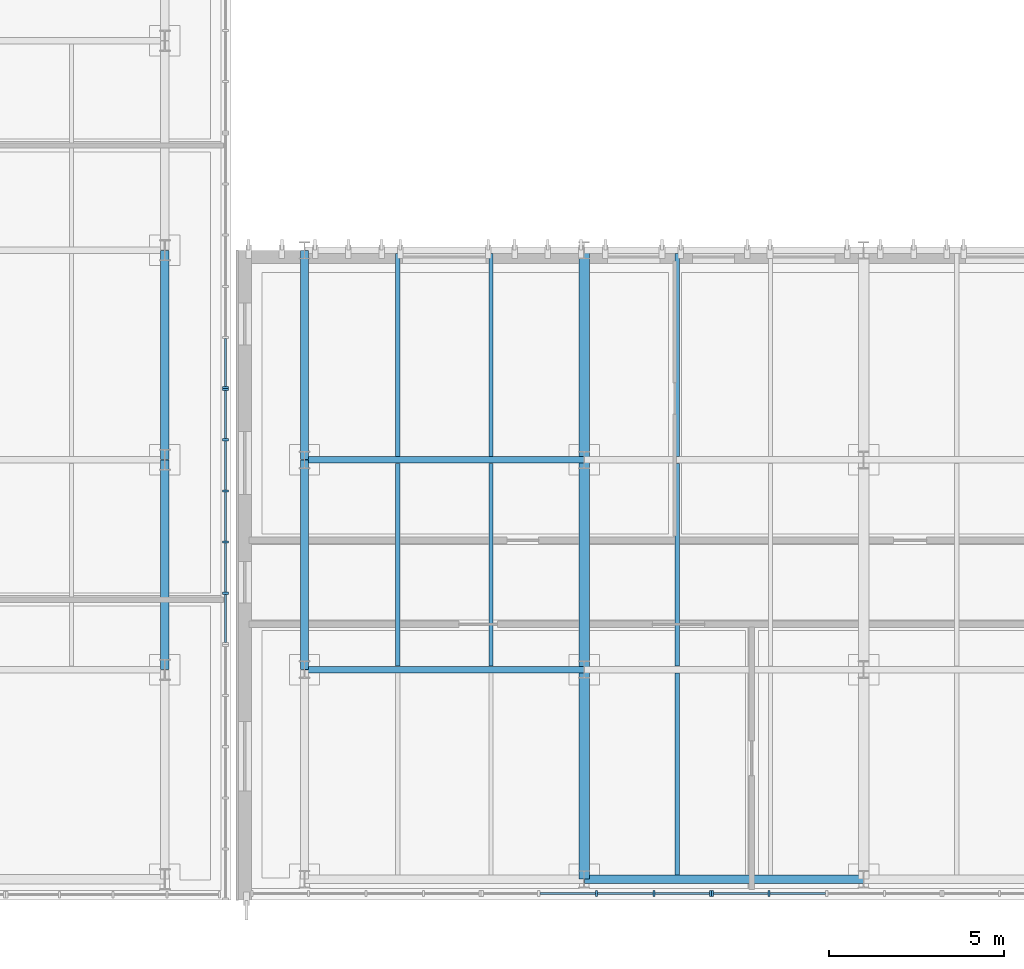
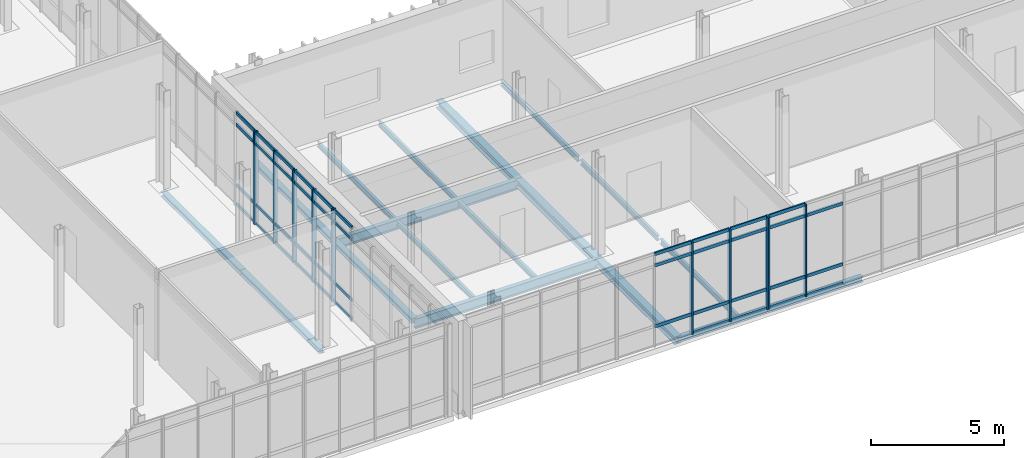
# One storey, part 29 of 100: 53 members, 17 beams, 4 elements without a shape of their own.
"""IFC4 building model written with IfcOpenShell, lengths in metres."""

from ifc_helpers import new_model, si_unit, direction, frame, origin, origin_2d, place, context, subcontext, project, spatial, rectangle, i_section, extrude, material, material_profile, profile_set, type_object, element, aggregate, save


model = new_model("IFC4")

# Units and contexts
model_context = context("Model", 3, precision=1e-05, world=origin(), true_north=direction((0.0, 1.0)))
body_context = subcontext(model_context, "Body", "Model", "MODEL_VIEW")
ifc_project = project(units=[si_unit("LENGTHUNIT", "METRE"), si_unit("AREAUNIT", "SQUARE_METRE"), si_unit("VOLUMEUNIT", "CUBIC_METRE"), si_unit("PLANEANGLEUNIT", "RADIAN"), si_unit("MASSUNIT", "GRAM", prefix="KILO")], contexts=[model_context])

# Site, building, storey
site_placement = place(None, origin())
site = spatial("IfcSite", under=ifc_project, at=site_placement, CompositionType="ELEMENT")
building_placement = place(site_placement, origin())
building = spatial("IfcBuilding", under=site, at=building_placement, Name="Cymarion Research Institute", CompositionType="ELEMENT")
storey_placement = place(building_placement, frame((0.0, 0.0, 4.800048828125)))
storey = spatial("IfcBuildingStorey", under=building, at=storey_placement, Name="L01", CompositionType="ELEMENT", Elevation=4.800048828125)

# Curtain wall, members
ifc_material_1 = material(Name="Anodised aluminium unitised curtain wall with Low-E glazing", Category="aluminium")
curtain_wall_type_1 = type_object("IfcCurtainWallType", Name="UNITISED CURTAIN WALL CW01 6590X4250", PredefinedType="NOTDEFINED", material=ifc_material_1)
curtain_wall_1_placement = place(storey_placement, origin())
curtain_wall_1 = element("IfcCurtainWall", 1, at=curtain_wall_1_placement, inside=storey, type_object=curtain_wall_type_1, Name="L01 V1 unitised curtain wall CW01 #2", PredefinedType="NOTDEFINED")
ifc_material_2 = material(Name="Anodised aluminium framing", Category="aluminium")
ifc_material_profile_1 = material_profile(ifc_material_2, rectangle(XDim=0.06005859375, YDim=0.179931640625, at=origin_2d()), Name="ALU MULLION 60x180")
ifc_profile_set_1 = profile_set([ifc_material_profile_1], Name="Anodised aluminium framing")
member_type_1 = type_object("IfcMemberType", Name="CURTAIN WALL MULLION ML01 60X180", PredefinedType="MULLION", material=ifc_profile_set_1)
member_1_placement = place(storey_placement, frame((114.95166015625, 5.090087890625, 0.0), z_axis=(0.0, 0.0, 1.0), x_axis=(1.0, 0.0, 0.0)))
member_1 = element("IfcMember", 2, at=member_1_placement, type_object=member_type_1, Name="CW01 mullion 3", PredefinedType="MULLION", context=body_context, shape_type="SweptSolid", body=[
    extrude(rectangle(XDim=0.06005859375, YDim=0.179931640625, at=origin_2d()), origin(), (0.0, 0.0, 1.0), 4.25),
])
member_2_placement = place(storey_placement, frame((116.599853515625, 5.090087890625, 0.0), z_axis=(0.0, 0.0, 1.0), x_axis=(1.0, 0.0, 0.0)))
member_2 = element("IfcMember", 3, at=member_2_placement, type_object=member_type_1, Name="CW01 mullion 4", PredefinedType="MULLION", context=body_context, shape_type="SweptSolid", body=[
    extrude(rectangle(XDim=0.06005859375, YDim=0.179931640625, at=origin_2d()), origin(), (0.0, 0.0, 1.0), 4.25),
])
member_3_placement = place(storey_placement, frame((118.21826171875, 5.090087890625, 0.0), z_axis=(0.0, 0.0, 1.0), x_axis=(1.0, 0.0, 0.0)))
member_3 = element("IfcMember", 4, at=member_3_placement, type_object=member_type_1, Name="CW01 mullion 5", PredefinedType="MULLION", context=body_context, shape_type="SweptSolid", body=[
    extrude(rectangle(XDim=0.06005859375, YDim=0.179931640625, at=origin_2d()), origin(), (0.0, 0.0, 1.0), 4.25),
])

curtain_wall_2_placement = place(storey_placement, origin())
curtain_wall_2 = element("IfcCurtainWall", 5, at=curtain_wall_2_placement, inside=storey, type_object=curtain_wall_type_1, Name="L01 V1 unitised curtain wall CW01 #3", PredefinedType="NOTDEFINED")
member_4_placement = place(storey_placement, frame((118.2783203125, 5.090087890625, 0.0), z_axis=(0.0, 0.0, 1.0), x_axis=(1.0, 0.0, 0.0)))
member_4 = element("IfcMember", 6, at=member_4_placement, type_object=member_type_1, Name="CW01 mullion 1", PredefinedType="MULLION", context=body_context, shape_type="SweptSolid", body=[
    extrude(rectangle(XDim=0.06005859375, YDim=0.179931640625, at=origin_2d()), origin(), (0.0, 0.0, 1.0), 4.25),
])
member_5_placement = place(storey_placement, frame((119.896484375, 5.090087890625, 0.0), z_axis=(0.0, 0.0, 1.0), x_axis=(1.0, 0.0, 0.0)))
member_5 = element("IfcMember", 7, at=member_5_placement, type_object=member_type_1, Name="CW01 mullion 2", PredefinedType="MULLION", context=body_context, shape_type="SweptSolid", body=[
    extrude(rectangle(XDim=0.06005859375, YDim=0.179931640625, at=origin_2d()), origin(), (0.0, 0.0, 1.0), 4.25),
])

curtain_wall_type_2 = type_object("IfcCurtainWallType", Name="UNITISED CURTAIN WALL CW08 7320X4250", PredefinedType="NOTDEFINED", material=ifc_material_1)
curtain_wall_3_placement = place(storey_placement, origin())
curtain_wall_3 = element("IfcCurtainWall", 8, at=curtain_wall_3_placement, inside=storey, type_object=curtain_wall_type_2, Name="L01 V2 unitised curtain wall CW08 #20", PredefinedType="NOTDEFINED")
member_6_placement = place(storey_placement, frame((104.340087890625, 13.68408203125, 0.0), z_axis=(0.0, 0.0, 1.0), x_axis=(0.0, 1.0, 0.0)))
member_6 = element("IfcMember", 9, at=member_6_placement, type_object=member_type_1, Name="CW08 mullion 2", PredefinedType="MULLION", context=body_context, shape_type="SweptSolid", body=[
    extrude(rectangle(XDim=0.06005859375, YDim=0.179931640625, at=origin_2d()), origin(), (0.0, 0.0, 1.0), 4.25),
])
member_7_placement = place(storey_placement, frame((104.340087890625, 15.14794921875, 0.0), z_axis=(0.0, 0.0, 1.0), x_axis=(0.0, 1.0, 0.0)))
member_7 = element("IfcMember", 10, at=member_7_placement, type_object=member_type_1, Name="CW08 mullion 3", PredefinedType="MULLION", context=body_context, shape_type="SweptSolid", body=[
    extrude(rectangle(XDim=0.06005859375, YDim=0.179931640625, at=origin_2d()), origin(), (0.0, 0.0, 1.0), 4.25),
])
member_8_placement = place(storey_placement, frame((104.340087890625, 16.612060546875, 0.0), z_axis=(0.0, 0.0, 1.0), x_axis=(0.0, 1.0, 0.0)))
member_8 = element("IfcMember", 11, at=member_8_placement, type_object=member_type_1, Name="CW08 mullion 4", PredefinedType="MULLION", context=body_context, shape_type="SweptSolid", body=[
    extrude(rectangle(XDim=0.06005859375, YDim=0.179931640625, at=origin_2d()), origin(), (0.0, 0.0, 1.0), 4.25),
])
member_9_placement = place(storey_placement, frame((104.340087890625, 18.075927734375, 0.0), z_axis=(0.0, 0.0, 1.0), x_axis=(0.0, 1.0, 0.0)))
member_9 = element("IfcMember", 12, at=member_9_placement, type_object=member_type_1, Name="CW08 mullion 5", PredefinedType="MULLION", context=body_context, shape_type="SweptSolid", body=[
    extrude(rectangle(XDim=0.06005859375, YDim=0.179931640625, at=origin_2d()), origin(), (0.0, 0.0, 1.0), 4.25),
])
member_10_placement = place(storey_placement, frame((104.340087890625, 19.510009765625, 0.0), z_axis=(0.0, 0.0, 1.0), x_axis=(0.0, 1.0, 0.0)))
member_10 = element("IfcMember", 13, at=member_10_placement, type_object=member_type_1, Name="CW08 mullion 6", PredefinedType="MULLION", context=body_context, shape_type="SweptSolid", body=[
    extrude(rectangle(XDim=0.06005859375, YDim=0.179931640625, at=origin_2d()), origin(), (0.0, 0.0, 1.0), 4.25),
])

# Curtain wall, member
curtain_wall_4_placement = place(storey_placement, origin())
curtain_wall_4 = element("IfcCurtainWall", 14, at=curtain_wall_4_placement, inside=storey, type_object=curtain_wall_type_2, Name="L01 V2 unitised curtain wall CW08 #21", PredefinedType="NOTDEFINED")
member_11_placement = place(storey_placement, frame((104.340087890625, 19.570068359375, 0.0), z_axis=(0.0, 0.0, 1.0), x_axis=(0.0, 1.0, 0.0)))
member_11 = element("IfcMember", 15, at=member_11_placement, type_object=member_type_1, Name="CW08 mullion 1", PredefinedType="MULLION", context=body_context, shape_type="SweptSolid", body=[
    extrude(rectangle(XDim=0.06005859375, YDim=0.179931640625, at=origin_2d()), origin(), (0.0, 0.0, 1.0), 4.25),
])

# Member
ifc_material_profile_2 = material_profile(ifc_material_2, rectangle(XDim=0.06005859375, YDim=0.14990234375, at=origin_2d()), Name="ALU TRANSOM 60x150")
ifc_profile_set_2 = profile_set([ifc_material_profile_2], Name="Anodised aluminium framing")
member_type_2 = type_object("IfcMemberType", Name="CURTAIN WALL TRANSOM TR01 60X150", PredefinedType="USERDEFINED", material=ifc_profile_set_2)
member_12_placement = place(storey_placement, frame((113.33349609375, 5.090087890625, 0.89990234375), z_axis=(1.0, 0.0, 0.0), x_axis=(0.0, 1.0, 0.0)))
member_12 = element("IfcMember", 16, at=member_12_placement, type_object=member_type_2, Name="CW01 transom 2.2", ObjectType="TRANSOM", PredefinedType="USERDEFINED", context=body_context, shape_type="SweptSolid", body=[
    extrude(rectangle(XDim=0.06005859375, YDim=0.14990234375, at=origin_2d()), origin(), (0.0, 0.0, 1.0), 1.588134765625),
])

member_13_placement = place(storey_placement, frame((113.33349609375, 5.090087890625, 3.699951171875), z_axis=(1.0, 0.0, 0.0), x_axis=(0.0, 1.0, 0.0)))
member_13 = element("IfcMember", 17, at=member_13_placement, type_object=member_type_2, Name="CW01 transom 2.3", ObjectType="TRANSOM", PredefinedType="USERDEFINED", context=body_context, shape_type="SweptSolid", body=[
    extrude(rectangle(XDim=0.06005859375, YDim=0.14990234375, at=origin_2d()), origin(), (0.0, 0.0, 1.0), 1.588134765625),
])

member_14_placement = place(storey_placement, frame((113.33349609375, 5.090087890625, 4.219970703125), z_axis=(1.0, 0.0, 0.0), x_axis=(0.0, 1.0, 0.0)))
member_14 = element("IfcMember", 18, at=member_14_placement, type_object=member_type_2, Name="CW01 transom 2.4", ObjectType="TRANSOM", PredefinedType="USERDEFINED", context=body_context, shape_type="SweptSolid", body=[
    extrude(rectangle(XDim=0.06005859375, YDim=0.14990234375, at=origin_2d()), origin(), (0.0, 0.0, 1.0), 1.588134765625),
])

member_15_placement = place(storey_placement, frame((114.981689453125, 5.090087890625, 0.030029296875), z_axis=(1.0, 0.0, 0.0), x_axis=(0.0, 1.0, 0.0)))
member_15 = element("IfcMember", 19, at=member_15_placement, type_object=member_type_2, Name="CW01 transom 3.1", ObjectType="TRANSOM", PredefinedType="USERDEFINED", context=body_context, shape_type="SweptSolid", body=[
    extrude(rectangle(XDim=0.06005859375, YDim=0.14990234375, at=origin_2d()), origin(), (0.0, 0.0, 1.0), 1.588134765625),
])

member_16_placement = place(storey_placement, frame((114.981689453125, 5.090087890625, 0.89990234375), z_axis=(1.0, 0.0, 0.0), x_axis=(0.0, 1.0, 0.0)))
member_16 = element("IfcMember", 20, at=member_16_placement, type_object=member_type_2, Name="CW01 transom 3.2", ObjectType="TRANSOM", PredefinedType="USERDEFINED", context=body_context, shape_type="SweptSolid", body=[
    extrude(rectangle(XDim=0.06005859375, YDim=0.14990234375, at=origin_2d()), origin(), (0.0, 0.0, 1.0), 1.588134765625),
])

member_17_placement = place(storey_placement, frame((114.981689453125, 5.090087890625, 3.699951171875), z_axis=(1.0, 0.0, 0.0), x_axis=(0.0, 1.0, 0.0)))
member_17 = element("IfcMember", 21, at=member_17_placement, type_object=member_type_2, Name="CW01 transom 3.3", ObjectType="TRANSOM", PredefinedType="USERDEFINED", context=body_context, shape_type="SweptSolid", body=[
    extrude(rectangle(XDim=0.06005859375, YDim=0.14990234375, at=origin_2d()), origin(), (0.0, 0.0, 1.0), 1.588134765625),
])

member_18_placement = place(storey_placement, frame((114.981689453125, 5.090087890625, 4.219970703125), z_axis=(1.0, 0.0, 0.0), x_axis=(0.0, 1.0, 0.0)))
member_18 = element("IfcMember", 22, at=member_18_placement, type_object=member_type_2, Name="CW01 transom 3.4", ObjectType="TRANSOM", PredefinedType="USERDEFINED", context=body_context, shape_type="SweptSolid", body=[
    extrude(rectangle(XDim=0.06005859375, YDim=0.14990234375, at=origin_2d()), origin(), (0.0, 0.0, 1.0), 1.588134765625),
])

member_19_placement = place(storey_placement, frame((116.6298828125, 5.090087890625, 0.030029296875), z_axis=(1.0, 0.0, 0.0), x_axis=(0.0, 1.0, 0.0)))
member_19 = element("IfcMember", 23, at=member_19_placement, type_object=member_type_2, Name="CW01 transom 4.1", ObjectType="TRANSOM", PredefinedType="USERDEFINED", context=body_context, shape_type="SweptSolid", body=[
    extrude(rectangle(XDim=0.06005859375, YDim=0.14990234375, at=origin_2d()), origin(), (0.0, 0.0, 1.0), 1.558349609375),
])

member_20_placement = place(storey_placement, frame((116.6298828125, 5.090087890625, 0.89990234375), z_axis=(1.0, 0.0, 0.0), x_axis=(0.0, 1.0, 0.0)))
member_20 = element("IfcMember", 24, at=member_20_placement, type_object=member_type_2, Name="CW01 transom 4.2", ObjectType="TRANSOM", PredefinedType="USERDEFINED", context=body_context, shape_type="SweptSolid", body=[
    extrude(rectangle(XDim=0.06005859375, YDim=0.14990234375, at=origin_2d()), origin(), (0.0, 0.0, 1.0), 1.558349609375),
])

member_21_placement = place(storey_placement, frame((116.6298828125, 5.090087890625, 3.699951171875), z_axis=(1.0, 0.0, 0.0), x_axis=(0.0, 1.0, 0.0)))
member_21 = element("IfcMember", 25, at=member_21_placement, type_object=member_type_2, Name="CW01 transom 4.3", ObjectType="TRANSOM", PredefinedType="USERDEFINED", context=body_context, shape_type="SweptSolid", body=[
    extrude(rectangle(XDim=0.06005859375, YDim=0.14990234375, at=origin_2d()), origin(), (0.0, 0.0, 1.0), 1.558349609375),
])

member_22_placement = place(storey_placement, frame((116.6298828125, 5.090087890625, 4.219970703125), z_axis=(1.0, 0.0, 0.0), x_axis=(0.0, 1.0, 0.0)))
member_22 = element("IfcMember", 26, at=member_22_placement, type_object=member_type_2, Name="CW01 transom 4.4", ObjectType="TRANSOM", PredefinedType="USERDEFINED", context=body_context, shape_type="SweptSolid", body=[
    extrude(rectangle(XDim=0.06005859375, YDim=0.14990234375, at=origin_2d()), origin(), (0.0, 0.0, 1.0), 1.558349609375),
])

aggregate(curtain_wall_1, [member_1, member_2, member_3, member_12, member_13, member_14, member_15, member_16, member_17, member_18, member_19, member_20, member_21, member_22])

member_23_placement = place(storey_placement, frame((118.30810546875, 5.090087890625, 0.030029296875), z_axis=(1.0, 0.0, 0.0), x_axis=(0.0, 1.0, 0.0)))
member_23 = element("IfcMember", 27, at=member_23_placement, type_object=member_type_2, Name="CW01 transom 1.1", ObjectType="TRANSOM", PredefinedType="USERDEFINED", context=body_context, shape_type="SweptSolid", body=[
    extrude(rectangle(XDim=0.06005859375, YDim=0.14990234375, at=origin_2d()), origin(), (0.0, 0.0, 1.0), 1.558349609375),
])

member_24_placement = place(storey_placement, frame((118.30810546875, 5.090087890625, 0.89990234375), z_axis=(1.0, 0.0, 0.0), x_axis=(0.0, 1.0, 0.0)))
member_24 = element("IfcMember", 28, at=member_24_placement, type_object=member_type_2, Name="CW01 transom 1.2", ObjectType="TRANSOM", PredefinedType="USERDEFINED", context=body_context, shape_type="SweptSolid", body=[
    extrude(rectangle(XDim=0.06005859375, YDim=0.14990234375, at=origin_2d()), origin(), (0.0, 0.0, 1.0), 1.558349609375),
])

member_25_placement = place(storey_placement, frame((118.30810546875, 5.090087890625, 3.699951171875), z_axis=(1.0, 0.0, 0.0), x_axis=(0.0, 1.0, 0.0)))
member_25 = element("IfcMember", 29, at=member_25_placement, type_object=member_type_2, Name="CW01 transom 1.3", ObjectType="TRANSOM", PredefinedType="USERDEFINED", context=body_context, shape_type="SweptSolid", body=[
    extrude(rectangle(XDim=0.06005859375, YDim=0.14990234375, at=origin_2d()), origin(), (0.0, 0.0, 1.0), 1.558349609375),
])

member_26_placement = place(storey_placement, frame((118.30810546875, 5.090087890625, 4.219970703125), z_axis=(1.0, 0.0, 0.0), x_axis=(0.0, 1.0, 0.0)))
member_26 = element("IfcMember", 30, at=member_26_placement, type_object=member_type_2, Name="CW01 transom 1.4", ObjectType="TRANSOM", PredefinedType="USERDEFINED", context=body_context, shape_type="SweptSolid", body=[
    extrude(rectangle(XDim=0.06005859375, YDim=0.14990234375, at=origin_2d()), origin(), (0.0, 0.0, 1.0), 1.558349609375),
])

member_27_placement = place(storey_placement, frame((119.926513671875, 5.090087890625, 0.030029296875), z_axis=(1.0, 0.0, 0.0), x_axis=(0.0, 1.0, 0.0)))
member_27 = element("IfcMember", 31, at=member_27_placement, type_object=member_type_2, Name="CW01 transom 2.1", ObjectType="TRANSOM", PredefinedType="USERDEFINED", context=body_context, shape_type="SweptSolid", body=[
    extrude(rectangle(XDim=0.06005859375, YDim=0.14990234375, at=origin_2d()), origin(), (0.0, 0.0, 1.0), 1.588134765625),
])

member_28_placement = place(storey_placement, frame((119.926513671875, 5.090087890625, 0.89990234375), z_axis=(1.0, 0.0, 0.0), x_axis=(0.0, 1.0, 0.0)))
member_28 = element("IfcMember", 32, at=member_28_placement, type_object=member_type_2, Name="CW01 transom 2.2", ObjectType="TRANSOM", PredefinedType="USERDEFINED", context=body_context, shape_type="SweptSolid", body=[
    extrude(rectangle(XDim=0.06005859375, YDim=0.14990234375, at=origin_2d()), origin(), (0.0, 0.0, 1.0), 1.588134765625),
])

member_29_placement = place(storey_placement, frame((119.926513671875, 5.090087890625, 3.699951171875), z_axis=(1.0, 0.0, 0.0), x_axis=(0.0, 1.0, 0.0)))
member_29 = element("IfcMember", 33, at=member_29_placement, type_object=member_type_2, Name="CW01 transom 2.3", ObjectType="TRANSOM", PredefinedType="USERDEFINED", context=body_context, shape_type="SweptSolid", body=[
    extrude(rectangle(XDim=0.06005859375, YDim=0.14990234375, at=origin_2d()), origin(), (0.0, 0.0, 1.0), 1.588134765625),
])

aggregate(curtain_wall_2, [member_4, member_5, member_23, member_24, member_25, member_26, member_27, member_28, member_29])

member_30_placement = place(storey_placement, frame((104.340087890625, 12.280029296875, 0.030029296875), z_axis=(0.0, 1.0, 0.0), x_axis=(-1.0, 0.0, 0.0)))
member_30 = element("IfcMember", 34, at=member_30_placement, type_object=member_type_2, Name="CW08 transom 1.1", ObjectType="TRANSOM", PredefinedType="USERDEFINED", context=body_context, shape_type="SweptSolid", body=[
    extrude(rectangle(XDim=0.06005859375, YDim=0.14990234375, at=origin_2d()), origin(), (0.0, 0.0, 1.0), 1.3740234375),
])

member_31_placement = place(storey_placement, frame((104.340087890625, 12.280029296875, 0.89990234375), z_axis=(0.0, 1.0, 0.0), x_axis=(-1.0, 0.0, 0.0)))
member_31 = element("IfcMember", 35, at=member_31_placement, type_object=member_type_2, Name="CW08 transom 1.2", ObjectType="TRANSOM", PredefinedType="USERDEFINED", context=body_context, shape_type="SweptSolid", body=[
    extrude(rectangle(XDim=0.06005859375, YDim=0.14990234375, at=origin_2d()), origin(), (0.0, 0.0, 1.0), 1.3740234375),
])

member_32_placement = place(storey_placement, frame((104.340087890625, 12.280029296875, 3.699951171875), z_axis=(0.0, 1.0, 0.0), x_axis=(-1.0, 0.0, 0.0)))
member_32 = element("IfcMember", 36, at=member_32_placement, type_object=member_type_2, Name="CW08 transom 1.3", ObjectType="TRANSOM", PredefinedType="USERDEFINED", context=body_context, shape_type="SweptSolid", body=[
    extrude(rectangle(XDim=0.06005859375, YDim=0.14990234375, at=origin_2d()), origin(), (0.0, 0.0, 1.0), 1.3740234375),
])

member_33_placement = place(storey_placement, frame((104.340087890625, 12.280029296875, 4.219970703125), z_axis=(0.0, 1.0, 0.0), x_axis=(-1.0, 0.0, 0.0)))
member_33 = element("IfcMember", 37, at=member_33_placement, type_object=member_type_2, Name="CW08 transom 1.4", ObjectType="TRANSOM", PredefinedType="USERDEFINED", context=body_context, shape_type="SweptSolid", body=[
    extrude(rectangle(XDim=0.06005859375, YDim=0.14990234375, at=origin_2d()), origin(), (0.0, 0.0, 1.0), 1.3740234375),
])

member_34_placement = place(storey_placement, frame((104.340087890625, 13.714111328125, 0.030029296875), z_axis=(0.0, 1.0, 0.0), x_axis=(-1.0, 0.0, 0.0)))
member_34 = element("IfcMember", 38, at=member_34_placement, type_object=member_type_2, Name="CW08 transom 2.1", ObjectType="TRANSOM", PredefinedType="USERDEFINED", context=body_context, shape_type="SweptSolid", body=[
    extrude(rectangle(XDim=0.06005859375, YDim=0.14990234375, at=origin_2d()), origin(), (0.0, 0.0, 1.0), 1.40380859375),
])

member_35_placement = place(storey_placement, frame((104.340087890625, 13.714111328125, 0.89990234375), z_axis=(0.0, 1.0, 0.0), x_axis=(-1.0, 0.0, 0.0)))
member_35 = element("IfcMember", 39, at=member_35_placement, type_object=member_type_2, Name="CW08 transom 2.2", ObjectType="TRANSOM", PredefinedType="USERDEFINED", context=body_context, shape_type="SweptSolid", body=[
    extrude(rectangle(XDim=0.06005859375, YDim=0.14990234375, at=origin_2d()), origin(), (0.0, 0.0, 1.0), 1.40380859375),
])

member_36_placement = place(storey_placement, frame((104.340087890625, 13.714111328125, 3.699951171875), z_axis=(0.0, 1.0, 0.0), x_axis=(-1.0, 0.0, 0.0)))
member_36 = element("IfcMember", 40, at=member_36_placement, type_object=member_type_2, Name="CW08 transom 2.3", ObjectType="TRANSOM", PredefinedType="USERDEFINED", context=body_context, shape_type="SweptSolid", body=[
    extrude(rectangle(XDim=0.06005859375, YDim=0.14990234375, at=origin_2d()), origin(), (0.0, 0.0, 1.0), 1.40380859375),
])

member_37_placement = place(storey_placement, frame((104.340087890625, 13.714111328125, 4.219970703125), z_axis=(0.0, 1.0, 0.0), x_axis=(-1.0, 0.0, 0.0)))
member_37 = element("IfcMember", 41, at=member_37_placement, type_object=member_type_2, Name="CW08 transom 2.4", ObjectType="TRANSOM", PredefinedType="USERDEFINED", context=body_context, shape_type="SweptSolid", body=[
    extrude(rectangle(XDim=0.06005859375, YDim=0.14990234375, at=origin_2d()), origin(), (0.0, 0.0, 1.0), 1.40380859375),
])

member_38_placement = place(storey_placement, frame((104.340087890625, 15.177978515625, 0.030029296875), z_axis=(0.0, 1.0, 0.0), x_axis=(-1.0, 0.0, 0.0)))
member_38 = element("IfcMember", 42, at=member_38_placement, type_object=member_type_2, Name="CW08 transom 3.1", ObjectType="TRANSOM", PredefinedType="USERDEFINED", context=body_context, shape_type="SweptSolid", body=[
    extrude(rectangle(XDim=0.06005859375, YDim=0.14990234375, at=origin_2d()), origin(), (0.0, 0.0, 1.0), 1.404052734375),
])

member_39_placement = place(storey_placement, frame((104.340087890625, 15.177978515625, 0.89990234375), z_axis=(0.0, 1.0, 0.0), x_axis=(-1.0, 0.0, 0.0)))
member_39 = element("IfcMember", 43, at=member_39_placement, type_object=member_type_2, Name="CW08 transom 3.2", ObjectType="TRANSOM", PredefinedType="USERDEFINED", context=body_context, shape_type="SweptSolid", body=[
    extrude(rectangle(XDim=0.06005859375, YDim=0.14990234375, at=origin_2d()), origin(), (0.0, 0.0, 1.0), 1.404052734375),
])

member_40_placement = place(storey_placement, frame((104.340087890625, 15.177978515625, 3.699951171875), z_axis=(0.0, 1.0, 0.0), x_axis=(-1.0, 0.0, 0.0)))
member_40 = element("IfcMember", 44, at=member_40_placement, type_object=member_type_2, Name="CW08 transom 3.3", ObjectType="TRANSOM", PredefinedType="USERDEFINED", context=body_context, shape_type="SweptSolid", body=[
    extrude(rectangle(XDim=0.06005859375, YDim=0.14990234375, at=origin_2d()), origin(), (0.0, 0.0, 1.0), 1.404052734375),
])

member_41_placement = place(storey_placement, frame((104.340087890625, 15.177978515625, 4.219970703125), z_axis=(0.0, 1.0, 0.0), x_axis=(-1.0, 0.0, 0.0)))
member_41 = element("IfcMember", 45, at=member_41_placement, type_object=member_type_2, Name="CW08 transom 3.4", ObjectType="TRANSOM", PredefinedType="USERDEFINED", context=body_context, shape_type="SweptSolid", body=[
    extrude(rectangle(XDim=0.06005859375, YDim=0.14990234375, at=origin_2d()), origin(), (0.0, 0.0, 1.0), 1.404052734375),
])

member_42_placement = place(storey_placement, frame((104.340087890625, 16.64208984375, 0.030029296875), z_axis=(0.0, 1.0, 0.0), x_axis=(-1.0, 0.0, 0.0)))
member_42 = element("IfcMember", 46, at=member_42_placement, type_object=member_type_2, Name="CW08 transom 4.1", ObjectType="TRANSOM", PredefinedType="USERDEFINED", context=body_context, shape_type="SweptSolid", body=[
    extrude(rectangle(XDim=0.06005859375, YDim=0.14990234375, at=origin_2d()), origin(), (0.0, 0.0, 1.0), 1.40380859375),
])

member_43_placement = place(storey_placement, frame((104.340087890625, 16.64208984375, 0.89990234375), z_axis=(0.0, 1.0, 0.0), x_axis=(-1.0, 0.0, 0.0)))
member_43 = element("IfcMember", 47, at=member_43_placement, type_object=member_type_2, Name="CW08 transom 4.2", ObjectType="TRANSOM", PredefinedType="USERDEFINED", context=body_context, shape_type="SweptSolid", body=[
    extrude(rectangle(XDim=0.06005859375, YDim=0.14990234375, at=origin_2d()), origin(), (0.0, 0.0, 1.0), 1.40380859375),
])

member_44_placement = place(storey_placement, frame((104.340087890625, 16.64208984375, 3.699951171875), z_axis=(0.0, 1.0, 0.0), x_axis=(-1.0, 0.0, 0.0)))
member_44 = element("IfcMember", 48, at=member_44_placement, type_object=member_type_2, Name="CW08 transom 4.3", ObjectType="TRANSOM", PredefinedType="USERDEFINED", context=body_context, shape_type="SweptSolid", body=[
    extrude(rectangle(XDim=0.06005859375, YDim=0.14990234375, at=origin_2d()), origin(), (0.0, 0.0, 1.0), 1.40380859375),
])

member_45_placement = place(storey_placement, frame((104.340087890625, 16.64208984375, 4.219970703125), z_axis=(0.0, 1.0, 0.0), x_axis=(-1.0, 0.0, 0.0)))
member_45 = element("IfcMember", 49, at=member_45_placement, type_object=member_type_2, Name="CW08 transom 4.4", ObjectType="TRANSOM", PredefinedType="USERDEFINED", context=body_context, shape_type="SweptSolid", body=[
    extrude(rectangle(XDim=0.06005859375, YDim=0.14990234375, at=origin_2d()), origin(), (0.0, 0.0, 1.0), 1.40380859375),
])

member_46_placement = place(storey_placement, frame((104.340087890625, 18.10595703125, 0.030029296875), z_axis=(0.0, 1.0, 0.0), x_axis=(-1.0, 0.0, 0.0)))
member_46 = element("IfcMember", 50, at=member_46_placement, type_object=member_type_2, Name="CW08 transom 5.1", ObjectType="TRANSOM", PredefinedType="USERDEFINED", context=body_context, shape_type="SweptSolid", body=[
    extrude(rectangle(XDim=0.06005859375, YDim=0.14990234375, at=origin_2d()), origin(), (0.0, 0.0, 1.0), 1.3740234375),
])

member_47_placement = place(storey_placement, frame((104.340087890625, 18.10595703125, 0.89990234375), z_axis=(0.0, 1.0, 0.0), x_axis=(-1.0, 0.0, 0.0)))
member_47 = element("IfcMember", 51, at=member_47_placement, type_object=member_type_2, Name="CW08 transom 5.2", ObjectType="TRANSOM", PredefinedType="USERDEFINED", context=body_context, shape_type="SweptSolid", body=[
    extrude(rectangle(XDim=0.06005859375, YDim=0.14990234375, at=origin_2d()), origin(), (0.0, 0.0, 1.0), 1.3740234375),
])

member_48_placement = place(storey_placement, frame((104.340087890625, 18.10595703125, 3.699951171875), z_axis=(0.0, 1.0, 0.0), x_axis=(-1.0, 0.0, 0.0)))
member_48 = element("IfcMember", 52, at=member_48_placement, type_object=member_type_2, Name="CW08 transom 5.3", ObjectType="TRANSOM", PredefinedType="USERDEFINED", context=body_context, shape_type="SweptSolid", body=[
    extrude(rectangle(XDim=0.06005859375, YDim=0.14990234375, at=origin_2d()), origin(), (0.0, 0.0, 1.0), 1.3740234375),
])

member_49_placement = place(storey_placement, frame((104.340087890625, 18.10595703125, 4.219970703125), z_axis=(0.0, 1.0, 0.0), x_axis=(-1.0, 0.0, 0.0)))
member_49 = element("IfcMember", 53, at=member_49_placement, type_object=member_type_2, Name="CW08 transom 5.4", ObjectType="TRANSOM", PredefinedType="USERDEFINED", context=body_context, shape_type="SweptSolid", body=[
    extrude(rectangle(XDim=0.06005859375, YDim=0.14990234375, at=origin_2d()), origin(), (0.0, 0.0, 1.0), 1.3740234375),
])

aggregate(curtain_wall_3, [member_6, member_7, member_8, member_9, member_10, member_30, member_31, member_32, member_33, member_34, member_35, member_36, member_37, member_38, member_39, member_40, member_41, member_42, member_43, member_44, member_45, member_46, member_47, member_48, member_49])

member_50_placement = place(storey_placement, frame((104.340087890625, 19.60009765625, 0.030029296875), z_axis=(0.0, 1.0, 0.0), x_axis=(-1.0, 0.0, 0.0)))
member_50 = element("IfcMember", 54, at=member_50_placement, type_object=member_type_2, Name="CW08 transom 1.1", ObjectType="TRANSOM", PredefinedType="USERDEFINED", context=body_context, shape_type="SweptSolid", body=[
    extrude(rectangle(XDim=0.06005859375, YDim=0.14990234375, at=origin_2d()), origin(), (0.0, 0.0, 1.0), 1.3740234375),
])

member_51_placement = place(storey_placement, frame((104.340087890625, 19.60009765625, 0.89990234375), z_axis=(0.0, 1.0, 0.0), x_axis=(-1.0, 0.0, 0.0)))
member_51 = element("IfcMember", 55, at=member_51_placement, type_object=member_type_2, Name="CW08 transom 1.2", ObjectType="TRANSOM", PredefinedType="USERDEFINED", context=body_context, shape_type="SweptSolid", body=[
    extrude(rectangle(XDim=0.06005859375, YDim=0.14990234375, at=origin_2d()), origin(), (0.0, 0.0, 1.0), 1.3740234375),
])

member_52_placement = place(storey_placement, frame((104.340087890625, 19.60009765625, 3.699951171875), z_axis=(0.0, 1.0, 0.0), x_axis=(-1.0, 0.0, 0.0)))
member_52 = element("IfcMember", 56, at=member_52_placement, type_object=member_type_2, Name="CW08 transom 1.3", ObjectType="TRANSOM", PredefinedType="USERDEFINED", context=body_context, shape_type="SweptSolid", body=[
    extrude(rectangle(XDim=0.06005859375, YDim=0.14990234375, at=origin_2d()), origin(), (0.0, 0.0, 1.0), 1.3740234375),
])

member_53_placement = place(storey_placement, frame((104.340087890625, 19.60009765625, 4.219970703125), z_axis=(0.0, 1.0, 0.0), x_axis=(-1.0, 0.0, 0.0)))
member_53 = element("IfcMember", 57, at=member_53_placement, type_object=member_type_2, Name="CW08 transom 1.4", ObjectType="TRANSOM", PredefinedType="USERDEFINED", context=body_context, shape_type="SweptSolid", body=[
    extrude(rectangle(XDim=0.06005859375, YDim=0.14990234375, at=origin_2d()), origin(), (0.0, 0.0, 1.0), 1.3740234375),
])

aggregate(curtain_wall_4, [member_11, member_50, member_51, member_52, member_53])

# Beams
ifc_material_3 = material(Name="Steel S355", Category="steel")
ifc_material_profile_3 = material_profile(ifc_material_3, i_section(OverallWidth=0.18994140625, OverallDepth=0.449951171875, WebThickness=0.009521484375, FlangeThickness=0.0146484375, FilletRadius=0.02099609375, at=origin_2d()), Name="IPE 450")
ifc_profile_set_3 = profile_set([ifc_material_profile_3], Name="Steel S355")
beam_type_1 = type_object("IfcBeamType", Name="PRIMARY GIRDER BM04 IPE 450", PredefinedType="BEAM", material=ifc_profile_set_3)
for number, where, z_axis, x_axis, name in (
    (58, (106.60595703125, 11.5, -0.47509765625), (1.0, 0.0, 0.0), (0.0, 1.0, 0.0), "L01 V1 girder BM04 #354"),
    (59, (106.60595703125, 17.5, -0.47509765625), (1.0, 0.0, 0.0), (0.0, 1.0, 0.0), "L01 V1 girder BM04 #358"),
):
    element("IfcBeam", number, at=place(storey_placement, frame(where, z_axis=z_axis, x_axis=x_axis)), inside=storey, type_object=beam_type_1, Name=name, PredefinedType="BEAM", context=body_context, shape_type="SweptSolid", body=[
        extrude(i_section(OverallWidth=0.18994140625, OverallDepth=0.449951171875, WebThickness=0.009521484375, FlangeThickness=0.0146484375, FilletRadius=0.02099609375, at=origin_2d()), origin(), (0.0, 0.0, 1.0), 7.988037109375),
    ])
ifc_material_profile_4 = material_profile(ifc_material_3, i_section(OverallWidth=0.300048828125, OverallDepth=0.35009765625, WebThickness=0.010009765625, FlangeThickness=0.017578125, FilletRadius=0.027099609375, at=origin_2d()), Name="HEA 360")
ifc_profile_set_4 = profile_set([ifc_material_profile_4], Name="Steel S355")
beam_type_2 = type_object("IfcBeamType", Name="PRIMARY GIRDER BM12 HEA 360", PredefinedType="BEAM", material=ifc_profile_set_4)
for number, where, z_axis, x_axis, name in (
    (60, (114.60009765625, 5.506103515625, -0.425048828125), (0.0, 1.0, 0.0), (-1.0, 0.0, 0.0), "L01 V1 girder BM12 #379"),
    (61, (114.60009765625, 11.506103515625, -0.425048828125), (0.0, 1.0, 0.0), (-1.0, 0.0, 0.0), "L01 V1 girder BM12 #380"),
    (62, (114.60009765625, 17.506103515625, -0.425048828125), (0.0, 1.0, 0.0), (-1.0, 0.0, 0.0), "L01 V1 girder BM12 #381"),
):
    element("IfcBeam", number, at=place(storey_placement, frame(where, z_axis=z_axis, x_axis=x_axis)), inside=storey, type_object=beam_type_2, Name=name, PredefinedType="BEAM", context=body_context, shape_type="SweptSolid", body=[
        extrude(i_section(OverallWidth=0.300048828125, OverallDepth=0.35009765625, WebThickness=0.010009765625, FlangeThickness=0.017578125, FilletRadius=0.027099609375, at=origin_2d()), origin(), (0.0, 0.0, 1.0), 5.98779296875),
    ])
ifc_material_profile_5 = material_profile(ifc_material_3, i_section(OverallWidth=0.1201171875, OverallDepth=0.239990234375, WebThickness=0.006103515625, FlangeThickness=0.009765625, FilletRadius=0.014892578125, at=origin_2d()), Name="IPE 240")
ifc_profile_set_5 = profile_set([ifc_material_profile_5], Name="Steel S355")
beam_type_3 = type_object("IfcBeamType", Name="SECONDARY JOIST JS04 IPE 240", PredefinedType="JOIST", material=ifc_profile_set_5)
beam_1_placement = place(storey_placement, frame((117.2666015625, 5.6240234375, -0.3701171875), z_axis=(0.0, 1.0, 0.0), x_axis=(-1.0, 0.0, 0.0)))
element("IfcBeam", 63, at=beam_1_placement, inside=storey, type_object=beam_type_3, Name="L01 V1 secondary joist JS04 #423", PredefinedType="JOIST", context=body_context, shape_type="SweptSolid", body=[
    extrude(i_section(OverallWidth=0.1201171875, OverallDepth=0.239990234375, WebThickness=0.006103515625, FlangeThickness=0.009765625, FilletRadius=0.014892578125, at=origin_2d()), origin(), (0.0, 0.0, 1.0), 5.77685546875),
])
for number, where, z_axis, x_axis, name in (
    (64, (109.2666015625, 11.59912109375, -0.3701171875), (0.0, 1.0, 0.0), (-1.0, 0.0, 0.0), "L01 V1 secondary joist JS04 #429"),
    (65, (111.933349609375, 11.59912109375, -0.3701171875), (0.0, 1.0, 0.0), (-1.0, 0.0, 0.0), "L01 V1 secondary joist JS04 #430"),
    (66, (117.2666015625, 11.59912109375, -0.3701171875), (0.0, 1.0, 0.0), (-1.0, 0.0, 0.0), "L01 V1 secondary joist JS04 #431"),
    (67, (109.2666015625, 17.59912109375, -0.3701171875), (0.0, 1.0, 0.0), (-1.0, 0.0, 0.0), "L01 V1 secondary joist JS04 #437"),
    (68, (111.933349609375, 17.59912109375, -0.3701171875), (0.0, 1.0, 0.0), (-1.0, 0.0, 0.0), "L01 V1 secondary joist JS04 #438"),
    (69, (117.2666015625, 17.59912109375, -0.3701171875), (0.0, 1.0, 0.0), (-1.0, 0.0, 0.0), "L01 V1 secondary joist JS04 #439"),
):
    element("IfcBeam", number, at=place(storey_placement, frame(where, z_axis=z_axis, x_axis=x_axis)), inside=storey, type_object=beam_type_3, Name=name, PredefinedType="JOIST", context=body_context, shape_type="SweptSolid", body=[
        extrude(i_section(OverallWidth=0.1201171875, OverallDepth=0.239990234375, WebThickness=0.006103515625, FlangeThickness=0.009765625, FilletRadius=0.014892578125, at=origin_2d()), origin(), (0.0, 0.0, 1.0), 5.8017578125),
    ])
ifc_material_profile_6 = material_profile(ifc_material_3, i_section(OverallWidth=0.239990234375, OverallDepth=0.22998046875, WebThickness=0.007568359375, FlangeThickness=0.011962890625, FilletRadius=0.02099609375, at=origin_2d()), Name="HEA 240")
ifc_profile_set_6 = profile_set([ifc_material_profile_6], Name="Steel S355")
beam_type_4 = type_object("IfcBeamType", Name="SPANDREL BEAM SPB03 HEA 240", PredefinedType="SPANDREL", material=ifc_profile_set_6)
beam_2_placement = place(storey_placement, frame((114.60595703125, 5.5, -0.364990234375), z_axis=(1.0, 0.0, 0.0), x_axis=(0.0, 1.0, 0.0)))
element("IfcBeam", 70, at=beam_2_placement, inside=storey, type_object=beam_type_4, Name="L01 V1 girder SPB03 #349", PredefinedType="SPANDREL", context=body_context, shape_type="SweptSolid", body=[
    extrude(i_section(OverallWidth=0.239990234375, OverallDepth=0.22998046875, WebThickness=0.007568359375, FlangeThickness=0.011962890625, FilletRadius=0.02099609375, at=origin_2d()), origin(), (0.0, 0.0, 1.0), 7.988037109375),
])
for number, where, z_axis, x_axis, name in (
    (71, (106.60009765625, 11.506103515625, -0.364990234375), (0.0, 1.0, 0.0), (-1.0, 0.0, 0.0), "L01 V1 girder SPB03 #377"),
    (72, (106.60009765625, 17.506103515625, -0.364990234375), (0.0, 1.0, 0.0), (-1.0, 0.0, 0.0), "L01 V1 girder SPB03 #378"),
    (73, (102.60009765625, 11.506103515625, -0.364990234375), (0.0, 1.0, 0.0), (-1.0, 0.0, 0.0), "L01 V2 girder SPB03 #518"),
    (74, (102.60009765625, 17.506103515625, -0.364990234375), (0.0, 1.0, 0.0), (-1.0, 0.0, 0.0), "L01 V2 girder SPB03 #519"),
):
    element("IfcBeam", number, at=place(storey_placement, frame(where, z_axis=z_axis, x_axis=x_axis)), inside=storey, type_object=beam_type_4, Name=name, PredefinedType="SPANDREL", context=body_context, shape_type="SweptSolid", body=[
        extrude(i_section(OverallWidth=0.239990234375, OverallDepth=0.22998046875, WebThickness=0.007568359375, FlangeThickness=0.011962890625, FilletRadius=0.02099609375, at=origin_2d()), origin(), (0.0, 0.0, 1.0), 5.98779296875),
    ])

save(model, "model.ifc")
